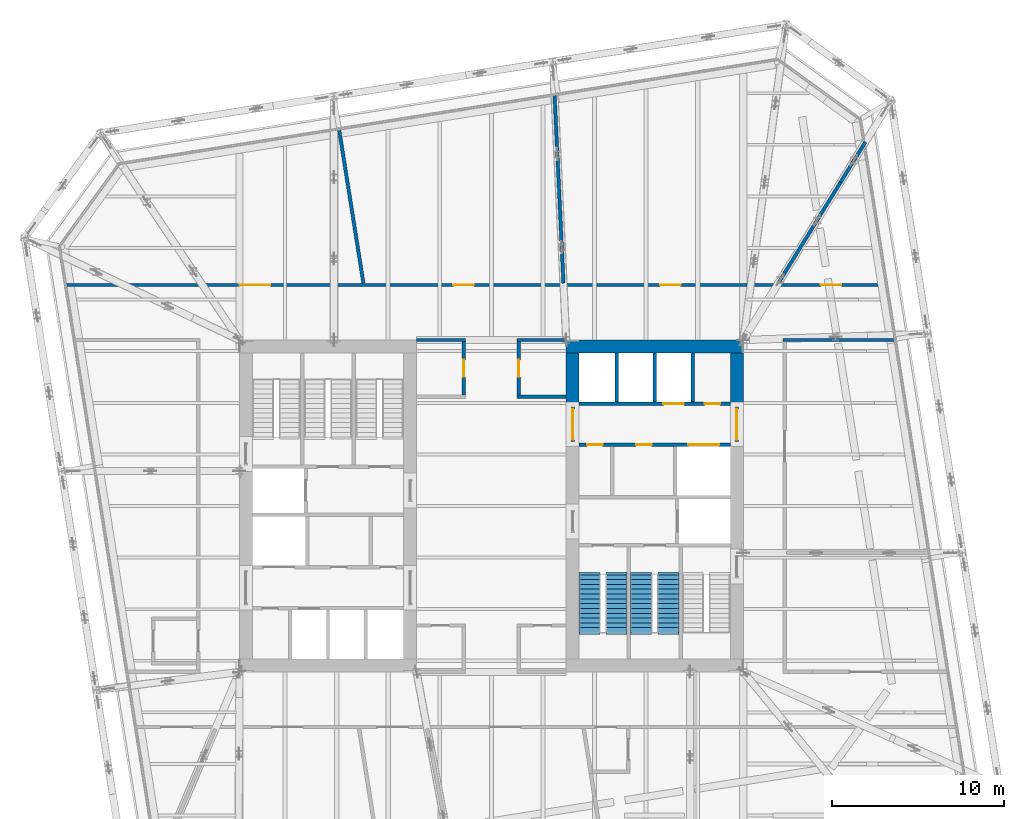
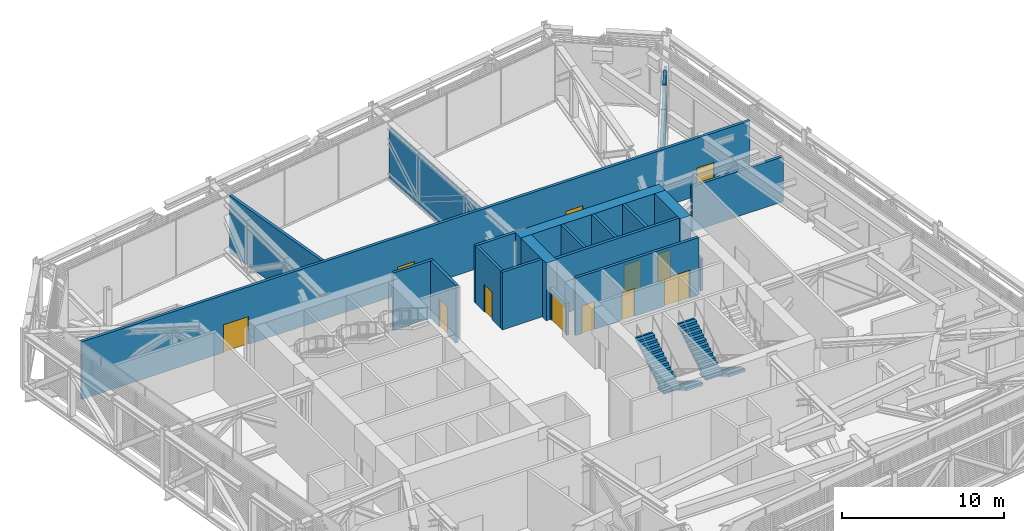
# One storey, part 22 of 31: 22 walls, 13 doors, 4 stair flights, 13 openings, 2 elements without a shape of their own.
"""IFC4 building model written with IfcOpenShell, lengths in metres."""

from ifc_helpers import new_model, si_unit, direction, frame, frame_2d, origin, place, context, subcontext, project, spatial, polyline, rectangle, outline, extrude, material, layer, layer_set, type_object, element, fill, aggregate, save


model = new_model("IFC4")

# Units and contexts
model_context = context("Model", 3, precision=1e-05, world=origin(), true_north=direction((0.0, 1.0)))
body_context = subcontext(model_context, "Body", "Model", "MODEL_VIEW")
ifc_project = project(units=[si_unit("LENGTHUNIT", "METRE"), si_unit("AREAUNIT", "SQUARE_METRE"), si_unit("VOLUMEUNIT", "CUBIC_METRE"), si_unit("PLANEANGLEUNIT", "RADIAN"), si_unit("MASSUNIT", "GRAM", prefix="KILO")], contexts=[model_context])

# Site, building, storey
site_placement = place(None, origin())
site = spatial("IfcSite", under=ifc_project, at=site_placement, CompositionType="ELEMENT")
building_placement = place(site_placement, origin())
building = spatial("IfcBuilding", under=site, at=building_placement, Name="Millrace Tower", CompositionType="ELEMENT")
storey_placement = place(building_placement, frame((0.0, 0.0, 195.60009765625)))
storey = spatial("IfcBuildingStorey", under=building, at=storey_placement, Name="L44", CompositionType="ELEMENT", Elevation=195.60009765625)

# Walls
ifc_material_1 = material(Name="Concrete C70", Category="concrete")
ifc_layer_1 = layer(ifc_material_1, 0.75)
ifc_layer_set_1 = layer_set([ifc_layer_1], Name="Concrete C70")
wall_type_1 = type_object("IfcWallType", Name="Core wall 750 Concrete C70", PredefinedType="SHEAR", material=ifc_layer_set_1)
wall_1_placement = place(storey_placement, frame((14.64990234375, 9.27490234375, 0.0), z_axis=(0.0, 0.0, 1.0), x_axis=(-1.0, 0.0, 0.0)))
element("IfcWall", 1, at=wall_1_placement, inside=storey, type_object=wall_type_1, Name="Core wall E L44", PredefinedType="SHEAR", context=body_context, shape_type="SweptSolid", body=[
    extrude(rectangle(XDim=10.2998046875, YDim=0.75, at=frame_2d((5.14990234375, 0.0))), origin(), (0.0, 0.0, 1.0), 4.33984375),
])
for number, where, z_axis, x_axis, name in (
    (2, (14.27490234375, 8.89990234375, 0.0), (0.0, 0.0, 1.0), (0.0, -1.0, 0.0), "Core wall E L44"),
    (3, (4.72509765625, 8.89990234375, 0.0), (0.0, 0.0, 1.0), (0.0, -1.0, 0.0), "Core wall E L44"),
):
    element("IfcWall", number, at=place(storey_placement, frame(where, z_axis=z_axis, x_axis=x_axis)), inside=storey, type_object=wall_type_1, Name=name, PredefinedType="SHEAR", context=body_context, shape_type="SweptSolid", body=[
        extrude(rectangle(XDim=3.14990234375, YDim=0.75, at=frame_2d((1.574951171875, 0.0))), origin(), (0.0, 0.0, 1.0), 4.33984375),
    ])
ifc_material_2 = material(Name="Masonry partition, fire-rated", Category="masonry")
ifc_layer_2 = layer(ifc_material_2, 0.199951171875)
ifc_layer_set_2 = layer_set([ifc_layer_2], Name="Masonry partition, fire-rated")
wall_type_2 = type_object("IfcWallType", Name="Corridor wall 200", PredefinedType="PARTITIONING", material=ifc_layer_set_2)
wall_2_placement = place(storey_placement, frame((3.675537109375, 23.865478515625, 0.0), z_axis=(0.0, 0.0, 1.0), x_axis=(0.047385761665, -0.998876663854, 0.0)))
element("IfcWall", 4, at=wall_2_placement, inside=storey, type_object=wall_type_2, Name="Corridor wall L44", PredefinedType="PARTITIONING", context=body_context, shape_type="SweptSolid", body=[
    extrude(rectangle(XDim=10.927734375, YDim=0.199951171875, at=frame_2d((5.4638671875, 0.0))), origin(), (0.0, 0.0, 1.0), 3.75732421875),
])
wall_3_placement = place(storey_placement, frame((-8.851806640625, 21.88134765625, 0.0), z_axis=(0.0, 0.0, 1.0), x_axis=(0.156468632319, -0.987682928424, 0.0)))
element("IfcWall", 5, at=wall_3_placement, inside=storey, type_object=wall_type_2, Name="Corridor wall L44", PredefinedType="PARTITIONING", context=body_context, shape_type="SweptSolid", body=[
    extrude(rectangle(XDim=9.0419921875, YDim=0.199951171875, at=frame_2d((4.52099609375, 0.0))), origin(), (0.0, 0.0, 1.0), 4.33984375),
])
for number, where, z_axis, x_axis, name in (
    (6, (1.5, 6.35009765625, 0.0), (0.0, 0.0, 1.0), (1.0, 0.0, 0.0), "Corridor wall L44"),
    (7, (-4.35009765625, 9.64990234375, 0.0), (0.0, 0.0, 1.0), (1.0, 0.0, 0.0), "Corridor wall L44"),
    (8, (1.5, 9.64990234375, 0.0), (0.0, 0.0, 1.0), (1.0, 0.0, 0.0), "Corridor wall L44"),
):
    element("IfcWall", number, at=place(storey_placement, frame(where, z_axis=z_axis, x_axis=x_axis)), inside=storey, type_object=wall_type_2, Name=name, PredefinedType="PARTITIONING", context=body_context, shape_type="SweptSolid", body=[
        extrude(rectangle(XDim=2.85009765625, YDim=0.199951171875, at=frame_2d((1.425048828125, 0.0))), origin(), (0.0, 0.0, 1.0), 4.33984375),
    ])
wall_4_placement = place(storey_placement, frame((16.949951171875, 9.64990234375, 0.0), z_axis=(0.0, 0.0, 1.0), x_axis=(1.0, 0.0, 0.0)))
element("IfcWall", 9, at=wall_4_placement, inside=storey, type_object=wall_type_2, Name="Corridor wall L44", PredefinedType="PARTITIONING", context=body_context, shape_type="SweptSolid", body=[
    extrude(rectangle(XDim=6.489501953125, YDim=0.199951171875, at=frame_2d((3.24462890625, 0.0))), origin(), (0.0, 0.0, 1.0), 3.392578125),
])

# Wall, openings, doors
wall_5_placement = place(storey_placement, frame((-24.7138671875, 12.85009765625, 0.0), z_axis=(0.0, 0.0, 1.0), x_axis=(1.0, 0.0, 0.0)))
wall_5 = element("IfcWall", 10, at=wall_5_placement, inside=storey, type_object=wall_type_2, Name="Corridor wall L44", PredefinedType="PARTITIONING", context=body_context, shape_type="SweptSolid", body=[
    extrude(rectangle(XDim=47.646484375, YDim=0.199951171875, at=frame_2d((23.8232421875, 0.0))), origin(), (0.0, 0.0, 1.0), 4.33984375),
])
opening_1_placement = place(wall_5_placement, frame((10.072021484375, 0.0, 0.0)))
opening_1 = element("IfcOpeningElement", 11, at=opening_1_placement, cuts=wall_5, Name="Opening 44-P005", PredefinedType="OPENING", context=body_context, shape_type="SweptSolid", body=[
    extrude(rectangle(XDim=1.800048828125, YDim=2.10009765625, at=frame_2d((0.89990234375, 1.050048828125))), frame((0.0, 0.10986328125, 0.0), z_axis=(0.0, -1.0, 0.0), x_axis=(1.0, 0.0, 0.0)), (0.0, 0.0, 1.0), 0.219970703125),
])
opening_2_placement = place(wall_5_placement, frame((22.50244140625, 0.0, 0.0)))
opening_2 = element("IfcOpeningElement", 12, at=opening_2_placement, cuts=wall_5, Name="Opening 44-P006", PredefinedType="OPENING", context=body_context, shape_type="SweptSolid", body=[
    extrude(rectangle(XDim=1.199951171875, YDim=2.10009765625, at=frame_2d((0.60009765625, 1.050048828125))), frame((0.0, 0.10986328125, 0.0), z_axis=(0.0, -1.0, 0.0), x_axis=(1.0, 0.0, 0.0)), (0.0, 0.0, 1.0), 0.219970703125),
])
opening_3_placement = place(wall_5_placement, frame((34.524169921875, 0.0, 0.0)))
opening_3 = element("IfcOpeningElement", 13, at=opening_3_placement, cuts=wall_5, Name="Opening 44-P007", PredefinedType="OPENING", context=body_context, shape_type="SweptSolid", body=[
    extrude(rectangle(XDim=1.199951171875, YDim=2.10009765625, at=frame_2d((0.60009765625, 1.050048828125))), frame((0.0, 0.10986328125, 0.0), z_axis=(0.0, -1.0, 0.0), x_axis=(1.0, 0.0, 0.0)), (0.0, 0.0, 1.0), 0.219970703125),
])
opening_4_placement = place(wall_5_placement, frame((43.8662109375, 0.0, 0.0)))
opening_4 = element("IfcOpeningElement", 14, at=opening_4_placement, cuts=wall_5, Name="Opening 44-P008", PredefinedType="OPENING", context=body_context, shape_type="SweptSolid", body=[
    extrude(rectangle(XDim=1.199951171875, YDim=2.10009765625, at=frame_2d((0.60009765625, 1.050048828125))), frame((0.0, 0.10986328125, 0.0), z_axis=(0.0, -1.0, 0.0), x_axis=(1.0, 0.0, 0.0)), (0.0, 0.0, 1.0), 0.219970703125),
])
ifc_material_3 = material(Name="Steel door set, fire-rated", Category="steel")
door_type_1 = type_object("IfcDoorType", Name="Plant room door 1200 x 2100", OperationType="SINGLE_SWING_LEFT", PredefinedType="DOOR", material=ifc_material_3)
door_1_placement = place(opening_2_placement, origin())
door_1 = element("IfcDoor", 15, at=door_1_placement, inside=storey, type_object=door_type_1, Name="Door 44-P006", OperationType="SINGLE_SWING_LEFT", OverallHeight=2.10009765625, OverallWidth=1.199951171875, PredefinedType="DOOR", context=body_context, shape_type="SweptSolid", body=[
    extrude(rectangle(XDim=1.199951171875, YDim=2.10009765625, at=frame_2d((0.60009765625, 1.050048828125))), frame((0.0, 0.02490234375, 0.0), z_axis=(0.0, -1.0, 0.0), x_axis=(1.0, 0.0, 0.0)), (0.0, 0.0, 1.0), 0.050048828125),
])
fill(opening_2, door_1)
door_2_placement = place(opening_3_placement, origin())
door_2 = element("IfcDoor", 16, at=door_2_placement, inside=storey, type_object=door_type_1, Name="Door 44-P007", OperationType="SINGLE_SWING_RIGHT", OverallHeight=2.10009765625, OverallWidth=1.199951171875, PredefinedType="DOOR", context=body_context, shape_type="SweptSolid", body=[
    extrude(rectangle(XDim=1.199951171875, YDim=2.10009765625, at=frame_2d((0.60009765625, 1.050048828125))), frame((0.0, 0.02490234375, 0.0), z_axis=(0.0, -1.0, 0.0), x_axis=(1.0, 0.0, 0.0)), (0.0, 0.0, 1.0), 0.050048828125),
])
fill(opening_3, door_2)
door_3_placement = place(opening_4_placement, origin())
door_3 = element("IfcDoor", 17, at=door_3_placement, inside=storey, type_object=door_type_1, Name="Door 44-P008", OperationType="SINGLE_SWING_RIGHT", OverallHeight=2.10009765625, OverallWidth=1.199951171875, PredefinedType="DOOR", context=body_context, shape_type="SweptSolid", body=[
    extrude(rectangle(XDim=1.199951171875, YDim=2.10009765625, at=frame_2d((0.60009765625, 1.050048828125))), frame((0.0, 0.02490234375, 0.0), z_axis=(0.0, -1.0, 0.0), x_axis=(1.0, 0.0, 0.0)), (0.0, 0.0, 1.0), 0.050048828125),
])
fill(opening_4, door_3)
ifc_material_4 = material(Name="Steel door set, fire-rated", Category="steel")
door_type_2 = type_object("IfcDoorType", Name="Plant room door 1800 x 2100", OperationType="DOUBLE_DOOR_SINGLE_SWING", PredefinedType="DOOR", material=ifc_material_4)
door_4_placement = place(opening_1_placement, origin())
door_4 = element("IfcDoor", 18, at=door_4_placement, inside=storey, type_object=door_type_2, Name="Door 44-P005", OperationType="DOUBLE_DOOR_SINGLE_SWING", OverallHeight=2.10009765625, OverallWidth=1.800048828125, PredefinedType="DOOR", context=body_context, shape_type="SweptSolid", body=[
    extrude(rectangle(XDim=1.800048828125, YDim=2.10009765625, at=frame_2d((0.89990234375, 1.050048828125))), frame((0.0, 0.02490234375, 0.0), z_axis=(0.0, -1.0, 0.0), x_axis=(1.0, 0.0, 0.0)), (0.0, 0.0, 1.0), 0.050048828125),
])
fill(opening_1, door_4)

# Walls
wall_6_placement = place(storey_placement, frame((16.70703125, 12.987548828125, 0.0), z_axis=(0.0, 0.0, 1.0), x_axis=(0.524720353069, 0.851274662536, 0.0)))
element("IfcWall", 19, at=wall_6_placement, inside=storey, type_object=wall_type_2, Name="Corridor wall L44", PredefinedType="PARTITIONING", context=body_context, shape_type="SweptSolid", body=[
    extrude(rectangle(XDim=6.86474609375, YDim=0.199951171875, at=frame_2d((3.432373046875, 0.0))), origin(), (0.0, 0.0, 1.0), 3.75732421875),
])
wall_7_placement = place(storey_placement, frame((20.30908203125, 18.831298828125, 0.0), z_axis=(0.0, 0.0, 1.0), x_axis=(0.524687212156, 0.851295089496, 0.0)))
element("IfcWall", 20, at=wall_7_placement, inside=storey, type_object=wall_type_2, Name="Corridor wall L44", PredefinedType="PARTITIONING", context=body_context, shape_type="SweptSolid", body=[
    extrude(rectangle(XDim=1.477783203125, YDim=0.199951171875, at=frame_2d((0.73876953125, 0.0))), origin(), (0.0, 0.0, 1.0), 4.33984375),
])
wall_8_placement = place(storey_placement, frame((21.08447265625, 20.08935546875, 0.0), z_axis=(0.0, 0.0, 1.0), x_axis=(0.524744054322, 0.851260052777, 0.0)))
element("IfcWall", 21, at=wall_8_placement, inside=storey, type_object=wall_type_2, Name="Corridor wall L44", PredefinedType="PARTITIONING", context=body_context, shape_type="SweptSolid", body=[
    extrude(rectangle(XDim=1.263671875, YDim=0.199951171875, at=frame_2d((0.6318359375, 0.0))), origin(), (0.0, 0.0, 1.0), 3.75732421875),
])

# Wall, opening, door
wall_9_placement = place(storey_placement, frame((1.60009765625, 6.449951171875, 0.0), z_axis=(0.0, 0.0, 1.0), x_axis=(0.0, 1.0, 0.0)))
wall_9 = element("IfcWall", 22, at=wall_9_placement, inside=storey, type_object=wall_type_2, Name="Corridor wall L44", PredefinedType="PARTITIONING", context=body_context, shape_type="SweptSolid", body=[
    extrude(rectangle(XDim=3.10009765625, YDim=0.199951171875, at=frame_2d((1.550048828125, 0.0))), origin(), (0.0, 0.0, 1.0), 4.33984375),
])
opening_5_placement = place(wall_9_placement, frame((1.050048828125, 0.0, 0.0)))
opening_5 = element("IfcOpeningElement", 23, at=opening_5_placement, cuts=wall_9, Name="Opening 44-P002", PredefinedType="OPENING", context=body_context, shape_type="SweptSolid", body=[
    extrude(rectangle(XDim=1.0, YDim=2.10009765625, at=frame_2d((0.5, 1.050048828125))), frame((0.0, 0.10986328125, 0.0), z_axis=(0.0, -1.0, 0.0), x_axis=(1.0, 0.0, 0.0)), (0.0, 0.0, 1.0), 0.219970703125),
])
ifc_material_5 = material(Name="Steel door set, fire-rated", Category="steel")
door_type_3 = type_object("IfcDoorType", Name="Corridor door 1000 x 2100", OperationType="SINGLE_SWING_LEFT", PredefinedType="DOOR", material=ifc_material_5)
door_5_placement = place(opening_5_placement, frame((1.0, 0.0, 0.0), z_axis=(0.0, 0.0, 1.0), x_axis=(-1.0, 0.0, 0.0)))
door_5 = element("IfcDoor", 24, at=door_5_placement, inside=storey, type_object=door_type_3, Name="Door 44-P002", OperationType="SINGLE_SWING_LEFT", OverallHeight=2.10009765625, OverallWidth=1.0, PredefinedType="DOOR", context=body_context, shape_type="SweptSolid", body=[
    extrude(rectangle(XDim=1.0, YDim=2.10009765625, at=frame_2d((0.5, 1.050048828125))), frame((0.0, 0.02490234375, 0.0), z_axis=(0.0, -1.0, 0.0), x_axis=(1.0, 0.0, 0.0)), (0.0, 0.0, 1.0), 0.050048828125),
])
fill(opening_5, door_5)

wall_10_placement = place(storey_placement, frame((-1.60009765625, 6.449951171875, 0.0), z_axis=(0.0, 0.0, 1.0), x_axis=(0.0, 1.0, 0.0)))
wall_10 = element("IfcWall", 25, at=wall_10_placement, inside=storey, type_object=wall_type_2, Name="Corridor wall L44", PredefinedType="PARTITIONING", context=body_context, shape_type="SweptSolid", body=[
    extrude(rectangle(XDim=3.10009765625, YDim=0.199951171875, at=frame_2d((1.550048828125, 0.0))), origin(), (0.0, 0.0, 1.0), 4.33984375),
])
opening_6_placement = place(wall_10_placement, frame((1.050048828125, 0.0, 0.0)))
opening_6 = element("IfcOpeningElement", 26, at=opening_6_placement, cuts=wall_10, Name="Opening 44-P001", PredefinedType="OPENING", context=body_context, shape_type="SweptSolid", body=[
    extrude(rectangle(XDim=1.0, YDim=2.10009765625, at=frame_2d((0.5, 1.050048828125))), frame((0.0, 0.10986328125, 0.0), z_axis=(0.0, -1.0, 0.0), x_axis=(1.0, 0.0, 0.0)), (0.0, 0.0, 1.0), 0.219970703125),
])
door_6_placement = place(opening_6_placement, origin())
door_6 = element("IfcDoor", 27, at=door_6_placement, inside=storey, type_object=door_type_3, Name="Door 44-P001", OperationType="SINGLE_SWING_RIGHT", OverallHeight=2.10009765625, OverallWidth=1.0, PredefinedType="DOOR", context=body_context, shape_type="SweptSolid", body=[
    extrude(rectangle(XDim=1.0, YDim=2.10009765625, at=frame_2d((0.5, 1.050048828125))), frame((0.0, 0.02490234375, 0.0), z_axis=(0.0, -1.0, 0.0), x_axis=(1.0, 0.0, 0.0)), (0.0, 0.0, 1.0), 0.050048828125),
])
fill(opening_6, door_6)

# Wall, openings, doors
ifc_material_6 = material(Name="Masonry partition, fire-rated", Category="masonry")
ifc_layer_3 = layer(ifc_material_6, 0.199951171875)
ifc_layer_set_3 = layer_set([ifc_layer_3], Name="Masonry partition, fire-rated")
wall_type_3 = type_object("IfcWallType", Name="Lift shaft wall 200", PredefinedType="PARTITIONING", material=ifc_layer_set_3)
wall_11_placement = place(storey_placement, frame((13.89990234375, 5.949951171875, 0.0), z_axis=(0.0, 0.0, 1.0), x_axis=(-1.0, 0.0, 0.0)))
wall_11 = element("IfcWall", 28, at=wall_11_placement, inside=storey, type_object=wall_type_3, Name="Lift shaft wall E L44", PredefinedType="PARTITIONING", context=body_context, shape_type="SweptSolid", body=[
    extrude(rectangle(XDim=8.7998046875, YDim=0.199951171875, at=frame_2d((4.39990234375, 0.0))), origin(), (0.0, 0.0, 1.0), 4.33984375),
])
opening_7_placement = place(wall_11_placement, frame((2.699951171875, 0.0, 0.0)))
opening_7 = element("IfcOpeningElement", 29, at=opening_7_placement, cuts=wall_11, Name="Opening 44-LD10", PredefinedType="OPENING", context=body_context, shape_type="SweptSolid", body=[
    extrude(rectangle(XDim=1.199951171875, YDim=2.10009765625, at=frame_2d((0.60009765625, 1.050048828125))), frame((0.0, 0.10986328125, 0.0), z_axis=(0.0, -1.0, 0.0), x_axis=(1.0, 0.0, 0.0)), (0.0, 0.0, 1.0), 0.219970703125),
])
opening_8_placement = place(wall_11_placement, frame((0.60009765625, 0.0, 0.0)))
opening_8 = element("IfcOpeningElement", 30, at=opening_8_placement, cuts=wall_11, Name="Opening 44-C014", PredefinedType="OPENING", context=body_context, shape_type="SweptSolid", body=[
    extrude(rectangle(XDim=0.89990234375, YDim=2.10009765625, at=frame_2d((0.449951171875, 1.050048828125))), frame((0.0, 0.10986328125, 0.0), z_axis=(0.0, -1.0, 0.0), x_axis=(1.0, 0.0, 0.0)), (0.0, 0.0, 1.0), 0.219970703125),
])
ifc_material_7 = material(Name="Stainless steel, fire-rated", Category="steel")
door_type_4 = type_object("IfcDoorType", Name="Lift landing door 1200 x 2100", OperationType="DOUBLE_DOOR_SLIDING", PredefinedType="DOOR", material=ifc_material_7)
door_7_placement = place(opening_7_placement, origin())
door_7 = element("IfcDoor", 31, at=door_7_placement, inside=storey, type_object=door_type_4, Name="Lift landing door LF10 L44", OperationType="DOUBLE_DOOR_SLIDING", OverallHeight=2.10009765625, OverallWidth=1.199951171875, PredefinedType="DOOR", context=body_context, shape_type="SweptSolid", body=[
    extrude(rectangle(XDim=1.199951171875, YDim=2.10009765625, at=frame_2d((0.60009765625, 1.050048828125))), frame((0.0, 0.02490234375, 0.0), z_axis=(0.0, -1.0, 0.0), x_axis=(1.0, 0.0, 0.0)), (0.0, 0.0, 1.0), 0.050048828125),
])
fill(opening_7, door_7)
ifc_material_8 = material(Name="Steel door, fire-rated", Category="steel")
door_type_5 = type_object("IfcDoorType", Name="Service room door 900 x 2100", OperationType="SINGLE_SWING_LEFT", PredefinedType="DOOR", material=ifc_material_8)
door_8_placement = place(opening_8_placement, frame((0.89990234375, 0.0, 0.0), z_axis=(0.0, 0.0, 1.0), x_axis=(-1.0, 0.0, 0.0)))
door_8 = element("IfcDoor", 32, at=door_8_placement, inside=storey, type_object=door_type_5, Name="Service room door 44-C014", OperationType="SINGLE_SWING_RIGHT", OverallHeight=2.10009765625, OverallWidth=0.89990234375, PredefinedType="DOOR", context=body_context, shape_type="SweptSolid", body=[
    extrude(rectangle(XDim=0.89990234375, YDim=2.10009765625, at=frame_2d((0.449951171875, 1.050048828125))), frame((0.0, 0.02490234375, 0.0), z_axis=(0.0, -1.0, 0.0), x_axis=(1.0, 0.0, 0.0)), (0.0, 0.0, 1.0), 0.050048828125),
])
fill(opening_8, door_8)

wall_12_placement = place(storey_placement, frame((13.89990234375, 3.550048828125, 0.0), z_axis=(0.0, 0.0, 1.0), x_axis=(-1.0, 0.0, 0.0)))
wall_12 = element("IfcWall", 33, at=wall_12_placement, inside=storey, type_object=wall_type_3, Name="Lift shaft wall E L44", PredefinedType="PARTITIONING", context=body_context, shape_type="SweptSolid", body=[
    extrude(rectangle(XDim=8.7998046875, YDim=0.199951171875, at=frame_2d((4.39990234375, 0.0))), origin(), (0.0, 0.0, 1.0), 4.33984375),
])
opening_9_placement = place(wall_12_placement, frame((0.64990234375, 0.0, 0.0)))
opening_9 = element("IfcOpeningElement", 34, at=opening_9_placement, cuts=wall_12, Name="Opening 44-LD13", PredefinedType="OPENING", context=body_context, shape_type="SweptSolid", body=[
    extrude(rectangle(XDim=1.800048828125, YDim=2.10009765625, at=frame_2d((0.89990234375, 1.050048828125))), frame((0.0, 0.10986328125, 0.0), z_axis=(0.0, -1.0, 0.0), x_axis=(1.0, 0.0, 0.0)), (0.0, 0.0, 1.0), 0.219970703125),
])
opening_10_placement = place(wall_12_placement, frame((4.58740234375, 0.0, 0.0)))
opening_10 = element("IfcOpeningElement", 35, at=opening_10_placement, cuts=wall_12, Name="Opening 44-C015", PredefinedType="OPENING", context=body_context, shape_type="SweptSolid", body=[
    extrude(rectangle(XDim=0.89990234375, YDim=2.10009765625, at=frame_2d((0.449951171875, 1.050048828125))), frame((0.0, 0.10986328125, 0.0), z_axis=(0.0, -1.0, 0.0), x_axis=(1.0, 0.0, 0.0)), (0.0, 0.0, 1.0), 0.219970703125),
])
opening_11_placement = place(wall_12_placement, frame((7.4375, 0.0, 0.0)))
opening_11 = element("IfcOpeningElement", 36, at=opening_11_placement, cuts=wall_12, Name="Opening 44-C016", PredefinedType="OPENING", context=body_context, shape_type="SweptSolid", body=[
    extrude(rectangle(XDim=0.89990234375, YDim=2.10009765625, at=frame_2d((0.449951171875, 1.050048828125))), frame((0.0, 0.10986328125, 0.0), z_axis=(0.0, -1.0, 0.0), x_axis=(1.0, 0.0, 0.0)), (0.0, 0.0, 1.0), 0.219970703125),
])
ifc_material_9 = material(Name="Stainless steel, fire-rated", Category="steel")
door_type_6 = type_object("IfcDoorType", Name="Lift landing door 1800 x 2100", OperationType="DOUBLE_DOOR_SLIDING", PredefinedType="DOOR", material=ifc_material_9)
door_9_placement = place(opening_9_placement, origin())
door_9 = element("IfcDoor", 37, at=door_9_placement, inside=storey, type_object=door_type_6, Name="Lift landing door LF13 L44", OperationType="DOUBLE_DOOR_SLIDING", OverallHeight=2.10009765625, OverallWidth=1.800048828125, PredefinedType="DOOR", context=body_context, shape_type="SweptSolid", body=[
    extrude(rectangle(XDim=1.800048828125, YDim=2.10009765625, at=frame_2d((0.89990234375, 1.050048828125))), frame((0.0, 0.02490234375, 0.0), z_axis=(0.0, -1.0, 0.0), x_axis=(1.0, 0.0, 0.0)), (0.0, 0.0, 1.0), 0.050048828125),
])
fill(opening_9, door_9)
door_10_placement = place(opening_10_placement, origin())
door_10 = element("IfcDoor", 38, at=door_10_placement, inside=storey, type_object=door_type_5, Name="Service room door 44-C015", OperationType="SINGLE_SWING_RIGHT", OverallHeight=2.10009765625, OverallWidth=0.89990234375, PredefinedType="DOOR", context=body_context, shape_type="SweptSolid", body=[
    extrude(rectangle(XDim=0.89990234375, YDim=2.10009765625, at=frame_2d((0.449951171875, 1.050048828125))), frame((0.0, 0.02490234375, 0.0), z_axis=(0.0, -1.0, 0.0), x_axis=(1.0, 0.0, 0.0)), (0.0, 0.0, 1.0), 0.050048828125),
])
fill(opening_10, door_10)
door_11_placement = place(opening_11_placement, origin())
door_11 = element("IfcDoor", 39, at=door_11_placement, inside=storey, type_object=door_type_5, Name="Service room door 44-C016", OperationType="SINGLE_SWING_RIGHT", OverallHeight=2.10009765625, OverallWidth=0.89990234375, PredefinedType="DOOR", context=body_context, shape_type="SweptSolid", body=[
    extrude(rectangle(XDim=0.89990234375, YDim=2.10009765625, at=frame_2d((0.449951171875, 1.050048828125))), frame((0.0, 0.02490234375, 0.0), z_axis=(0.0, -1.0, 0.0), x_axis=(1.0, 0.0, 0.0)), (0.0, 0.0, 1.0), 0.050048828125),
])
fill(opening_11, door_11)

# Walls
for number, where, z_axis, x_axis, name in (
    (40, (11.699951171875, 8.89990234375, 0.0), (0.0, 0.0, 1.0), (0.0, -1.0, 0.0), "Lift shaft wall E L44"),
    (41, (9.5, 8.89990234375, 0.0), (0.0, 0.0, 1.0), (0.0, -1.0, 0.0), "Lift shaft wall E L44"),
    (42, (7.300048828125, 8.89990234375, 0.0), (0.0, 0.0, 1.0), (0.0, -1.0, 0.0), "Lift shaft wall E L44"),
):
    element("IfcWall", number, at=place(storey_placement, frame(where, z_axis=z_axis, x_axis=x_axis)), inside=storey, type_object=wall_type_3, Name=name, PredefinedType="PARTITIONING", context=body_context, shape_type="SweptSolid", body=[
        extrude(rectangle(XDim=2.849853515625, YDim=0.199951171875, at=frame_2d((1.4248046875, 0.0))), origin(), (0.0, 0.0, 1.0), 4.33984375),
    ])

# Wall, opening, door
ifc_material_10 = material(Name="Masonry partition, fire-rated", Category="masonry")
ifc_layer_4 = layer(ifc_material_10, 0.199951171875)
ifc_layer_set_4 = layer_set([ifc_layer_4], Name="Masonry partition, fire-rated")
wall_type_4 = type_object("IfcWallType", Name="Lobby wall 200", PredefinedType="PARTITIONING", material=ifc_layer_set_4)
wall_13_placement = place(storey_placement, frame((14.27490234375, 5.75, 0.0), z_axis=(0.0, 0.0, 1.0), x_axis=(0.0, -1.0, 0.0)))
wall_13 = element("IfcWall", 43, at=wall_13_placement, inside=storey, type_object=wall_type_4, Name="Lobby wall E L44", PredefinedType="PARTITIONING", context=body_context, shape_type="SweptSolid", body=[
    extrude(rectangle(XDim=2.0, YDim=0.199951171875, at=frame_2d((1.0, 0.0))), origin(), (0.0, 0.0, 1.0), 2.39990234375),
])
opening_12_placement = place(wall_13_placement, frame((0.10009765625, 0.0, 0.0)))
opening_12 = element("IfcOpeningElement", 44, at=opening_12_placement, cuts=wall_13, Name="Opening 44-C010", PredefinedType="OPENING", context=body_context, shape_type="SweptSolid", body=[
    extrude(rectangle(XDim=1.800048828125, YDim=2.10009765625, at=frame_2d((0.89990234375, 1.050048828125))), frame((0.0, 0.10986328125, 0.0), z_axis=(0.0, -1.0, 0.0), x_axis=(1.0, 0.0, 0.0)), (0.0, 0.0, 1.0), 0.219970703125),
])
ifc_material_11 = material(Name="Steel door, fire-rated", Category="steel")
door_type_7 = type_object("IfcDoorType", Name="Lobby door 1800 x 2100", OperationType="DOUBLE_DOOR_SINGLE_SWING", PredefinedType="DOOR", material=ifc_material_11)
door_12_placement = place(opening_12_placement, origin())
door_12 = element("IfcDoor", 45, at=door_12_placement, inside=storey, type_object=door_type_7, Name="Lobby door 44-C010", OperationType="DOUBLE_DOOR_SINGLE_SWING", OverallHeight=2.10009765625, OverallWidth=1.800048828125, PredefinedType="DOOR", context=body_context, shape_type="SweptSolid", body=[
    extrude(rectangle(XDim=1.800048828125, YDim=2.10009765625, at=frame_2d((0.89990234375, 1.050048828125))), frame((0.0, 0.02490234375, 0.0), z_axis=(0.0, -1.0, 0.0), x_axis=(1.0, 0.0, 0.0)), (0.0, 0.0, 1.0), 0.050048828125),
])
fill(opening_12, door_12)

wall_14_placement = place(storey_placement, frame((4.72509765625, 5.75, 0.0), z_axis=(0.0, 0.0, 1.0), x_axis=(0.0, -1.0, 0.0)))
wall_14 = element("IfcWall", 46, at=wall_14_placement, inside=storey, type_object=wall_type_4, Name="Lobby wall E L44", PredefinedType="PARTITIONING", context=body_context, shape_type="SweptSolid", body=[
    extrude(rectangle(XDim=2.0, YDim=0.199951171875, at=frame_2d((1.0, 0.0))), origin(), (0.0, 0.0, 1.0), 2.39990234375),
])
opening_13_placement = place(wall_14_placement, frame((0.10009765625, 0.0, 0.0)))
opening_13 = element("IfcOpeningElement", 47, at=opening_13_placement, cuts=wall_14, Name="Opening 44-C012", PredefinedType="OPENING", context=body_context, shape_type="SweptSolid", body=[
    extrude(rectangle(XDim=1.800048828125, YDim=2.10009765625, at=frame_2d((0.89990234375, 1.050048828125))), frame((0.0, 0.10986328125, 0.0), z_axis=(0.0, -1.0, 0.0), x_axis=(1.0, 0.0, 0.0)), (0.0, 0.0, 1.0), 0.219970703125),
])
door_13_placement = place(opening_13_placement, origin())
door_13 = element("IfcDoor", 48, at=door_13_placement, inside=storey, type_object=door_type_7, Name="Lobby door 44-C012", OperationType="DOUBLE_DOOR_SINGLE_SWING", OverallHeight=2.10009765625, OverallWidth=1.800048828125, PredefinedType="DOOR", context=body_context, shape_type="SweptSolid", body=[
    extrude(rectangle(XDim=1.800048828125, YDim=2.10009765625, at=frame_2d((0.89990234375, 1.050048828125))), frame((0.0, 0.02490234375, 0.0), z_axis=(0.0, -1.0, 0.0), x_axis=(1.0, 0.0, 0.0)), (0.0, 0.0, 1.0), 0.050048828125),
])
fill(opening_13, door_13)

# Stair, stair flights
ifc_material_12 = material(Name="Concrete C35", Category="concrete")
stair_type = type_object("IfcStairType", Name="Exit stair", PredefinedType="HALF_TURN_STAIR", material=ifc_material_12)
placement = place(storey_placement, origin())
stair_1 = element("IfcStair", 49, at=placement, inside=storey, type_object=stair_type, Name="Stair 2 E L44", PredefinedType="HALF_TURN_STAIR")
ifc_material_13 = material(Name="Concrete C35", Category="concrete")
stair_flight_type = type_object("IfcStairFlightType", Name="Exit stair flight", PredefinedType="STRAIGHT", material=ifc_material_13)
stair_flight_1_placement = place(storey_placement, frame((10.2900390625, -4.0, 0.0), z_axis=(0.0, 0.0, 1.0), x_axis=(0.0, -1.0, 0.0)))
stair_flight_1 = element("IfcStairFlight", 50, at=stair_flight_1_placement, type_object=stair_flight_type, Name="ST12 flight 1", NumberOfRisers=13, NumberOfTreads=12, PredefinedType="STRAIGHT", RiserHeight=0.173076923, TreadLength=0.28, context=body_context, shape_type="SweptSolid", body=[
    extrude(outline(polyline([(-0.1201171875, -0.0400390625), (-0.1201171875, 0.0), (0.0, 0.0), (0.0, 0.173095703125), (0.280029296875, 0.173095703125), (0.280029296875, 0.34619140625), (0.56005859375, 0.34619140625), (0.56005859375, 0.519287109375), (0.840087890625, 0.519287109375), (0.840087890625, 0.6923828125), (1.1201171875, 0.6923828125), (1.1201171875, 0.865478515625), (1.39990234375, 0.865478515625), (1.39990234375, 1.03857421875), (1.679931640625, 1.03857421875), (1.679931640625, 1.21142578125), (1.9599609375, 1.21142578125), (1.9599609375, 1.384521484375), (2.239990234375, 1.384521484375), (2.239990234375, 1.5576171875), (2.52001953125, 1.5576171875), (2.52001953125, 1.730712890625), (2.800048828125, 1.730712890625), (2.800048828125, 1.90380859375), (3.080078125, 1.90380859375), (3.080078125, 2.076904296875), (3.360107421875, 2.076904296875), (3.360107421875, 2.096923828125), (3.47998046875, 2.096923828125), (3.47998046875, 1.900634765625), (3.360107421875, 1.900634765625), (0.28515625, 0.0), (0.28515625, -0.0400390625), (-0.1201171875, -0.0400390625)])), frame((0.0, 0.60986328125, 0.0), z_axis=(0.0, -1.0, 0.0), x_axis=(1.0, 0.0, 0.0)), (0.0, 0.0, 1.0), 1.219970703125),
])
stair_flight_2_placement = place(storey_placement, frame((8.7099609375, -7.360107421875, 2.25), z_axis=(0.0, 0.0, 1.0), x_axis=(0.0, 1.0, 0.0)))
stair_flight_2 = element("IfcStairFlight", 51, at=stair_flight_2_placement, type_object=stair_flight_type, Name="ST12 flight 2", NumberOfRisers=13, NumberOfTreads=12, PredefinedType="STRAIGHT", RiserHeight=0.173076923, TreadLength=0.28, context=body_context, shape_type="SweptSolid", body=[
    extrude(outline(polyline([(-0.1201171875, -0.0400390625), (-0.1201171875, 0.0), (0.0, 0.0), (0.0, 0.173095703125), (0.280029296875, 0.173095703125), (0.280029296875, 0.34619140625), (0.56005859375, 0.34619140625), (0.56005859375, 0.519287109375), (0.840087890625, 0.519287109375), (0.840087890625, 0.6923828125), (1.1201171875, 0.6923828125), (1.1201171875, 0.865478515625), (1.39990234375, 0.865478515625), (1.39990234375, 1.03857421875), (1.679931640625, 1.03857421875), (1.679931640625, 1.21142578125), (1.9599609375, 1.21142578125), (1.9599609375, 1.384521484375), (2.239990234375, 1.384521484375), (2.239990234375, 1.5576171875), (2.52001953125, 1.5576171875), (2.52001953125, 1.730712890625), (2.800048828125, 1.730712890625), (2.800048828125, 1.90380859375), (3.080078125, 1.90380859375), (3.080078125, 2.076904296875), (3.360107421875, 2.076904296875), (3.360107421875, 2.096923828125), (3.47998046875, 2.096923828125), (3.47998046875, 1.900634765625), (3.360107421875, 1.900634765625), (0.28515625, 0.0), (0.28515625, -0.0400390625), (-0.1201171875, -0.0400390625)])), frame((0.0, 0.60986328125, 0.0), z_axis=(0.0, -1.0, 0.0), x_axis=(1.0, 0.0, 0.0)), (0.0, 0.0, 1.0), 1.219970703125),
])
aggregate(stair_1, [stair_flight_1, stair_flight_2])

stair_2 = element("IfcStair", 52, at=placement, inside=storey, type_object=stair_type, Name="Stair 3 E L44", PredefinedType="HALF_TURN_STAIR")
stair_flight_3_placement = place(storey_placement, frame((7.2900390625, -4.0, 0.0), z_axis=(0.0, 0.0, 1.0), x_axis=(0.0, -1.0, 0.0)))
stair_flight_3 = element("IfcStairFlight", 53, at=stair_flight_3_placement, type_object=stair_flight_type, Name="ST12 flight 1", NumberOfRisers=13, NumberOfTreads=12, PredefinedType="STRAIGHT", RiserHeight=0.173076923, TreadLength=0.28, context=body_context, shape_type="SweptSolid", body=[
    extrude(outline(polyline([(-0.1201171875, -0.0400390625), (-0.1201171875, 0.0), (0.0, 0.0), (0.0, 0.173095703125), (0.280029296875, 0.173095703125), (0.280029296875, 0.34619140625), (0.56005859375, 0.34619140625), (0.56005859375, 0.519287109375), (0.840087890625, 0.519287109375), (0.840087890625, 0.6923828125), (1.1201171875, 0.6923828125), (1.1201171875, 0.865478515625), (1.39990234375, 0.865478515625), (1.39990234375, 1.03857421875), (1.679931640625, 1.03857421875), (1.679931640625, 1.21142578125), (1.9599609375, 1.21142578125), (1.9599609375, 1.384521484375), (2.239990234375, 1.384521484375), (2.239990234375, 1.5576171875), (2.52001953125, 1.5576171875), (2.52001953125, 1.730712890625), (2.800048828125, 1.730712890625), (2.800048828125, 1.90380859375), (3.080078125, 1.90380859375), (3.080078125, 2.076904296875), (3.360107421875, 2.076904296875), (3.360107421875, 2.096923828125), (3.47998046875, 2.096923828125), (3.47998046875, 1.900634765625), (3.360107421875, 1.900634765625), (0.28515625, 0.0), (0.28515625, -0.0400390625), (-0.1201171875, -0.0400390625)])), frame((0.0, 0.60986328125, 0.0), z_axis=(0.0, -1.0, 0.0), x_axis=(1.0, 0.0, 0.0)), (0.0, 0.0, 1.0), 1.219970703125),
])
stair_flight_4_placement = place(storey_placement, frame((5.7099609375, -7.360107421875, 2.25), z_axis=(0.0, 0.0, 1.0), x_axis=(0.0, 1.0, 0.0)))
stair_flight_4 = element("IfcStairFlight", 54, at=stair_flight_4_placement, type_object=stair_flight_type, Name="ST12 flight 2", NumberOfRisers=13, NumberOfTreads=12, PredefinedType="STRAIGHT", RiserHeight=0.173076923, TreadLength=0.28, context=body_context, shape_type="SweptSolid", body=[
    extrude(outline(polyline([(-0.1201171875, -0.0400390625), (-0.1201171875, 0.0), (0.0, 0.0), (0.0, 0.173095703125), (0.280029296875, 0.173095703125), (0.280029296875, 0.34619140625), (0.56005859375, 0.34619140625), (0.56005859375, 0.519287109375), (0.840087890625, 0.519287109375), (0.840087890625, 0.6923828125), (1.1201171875, 0.6923828125), (1.1201171875, 0.865478515625), (1.39990234375, 0.865478515625), (1.39990234375, 1.03857421875), (1.679931640625, 1.03857421875), (1.679931640625, 1.21142578125), (1.9599609375, 1.21142578125), (1.9599609375, 1.384521484375), (2.239990234375, 1.384521484375), (2.239990234375, 1.5576171875), (2.52001953125, 1.5576171875), (2.52001953125, 1.730712890625), (2.800048828125, 1.730712890625), (2.800048828125, 1.90380859375), (3.080078125, 1.90380859375), (3.080078125, 2.076904296875), (3.360107421875, 2.076904296875), (3.360107421875, 2.096923828125), (3.47998046875, 2.096923828125), (3.47998046875, 1.900634765625), (3.360107421875, 1.900634765625), (0.28515625, 0.0), (0.28515625, -0.0400390625), (-0.1201171875, -0.0400390625)])), frame((0.0, 0.60986328125, 0.0), z_axis=(0.0, -1.0, 0.0), x_axis=(1.0, 0.0, 0.0)), (0.0, 0.0, 1.0), 1.219970703125),
])
aggregate(stair_2, [stair_flight_3, stair_flight_4])

save(model, "model.ifc")
